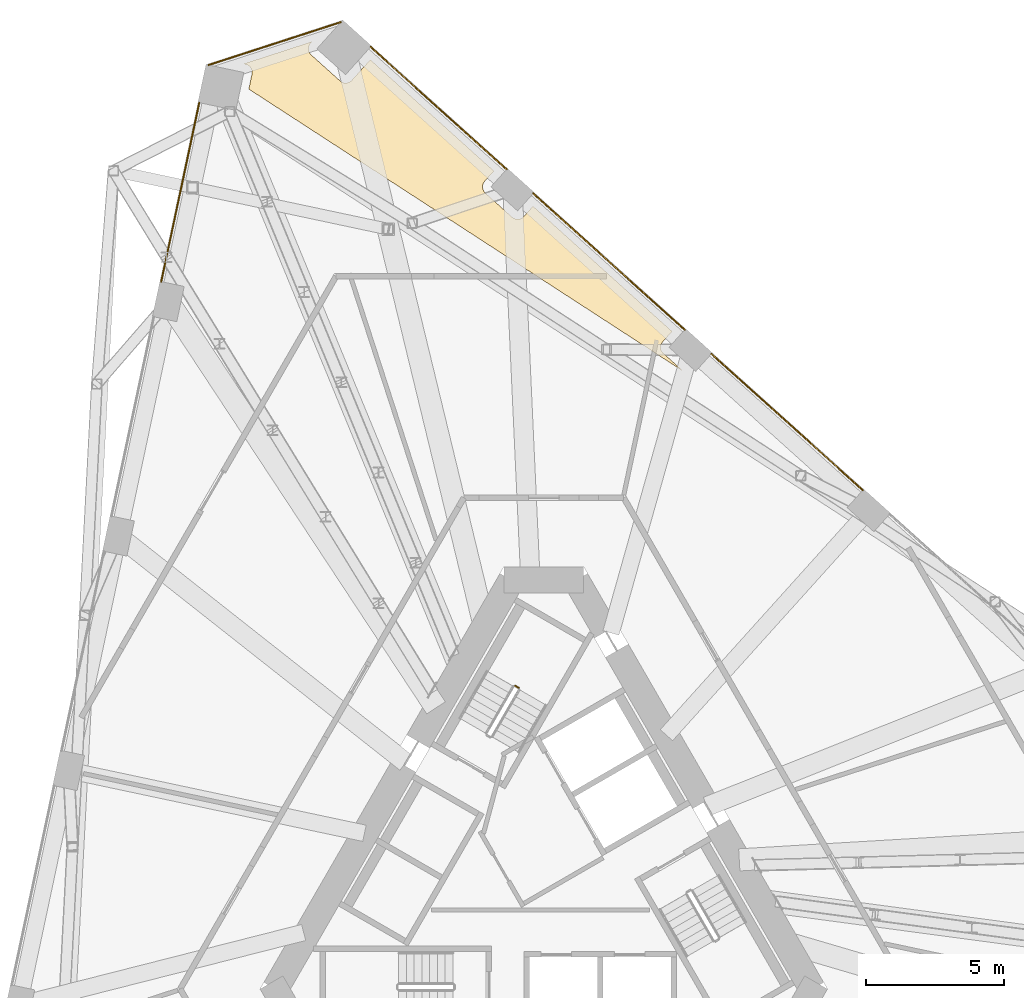
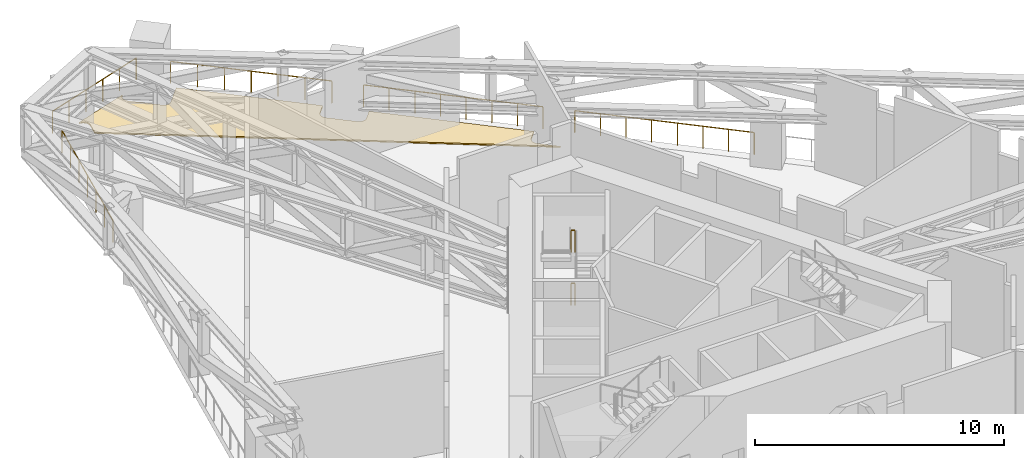
# One storey, part 23 of 24: 7 railings, 2 coverings.
"""IFC4 building model written with IfcOpenShell, lengths in metres."""

from ifc_helpers import new_model, si_unit, direction, frame, origin, origin_2d, place, context, subcontext, project, spatial, polyline, circle, outline, extrude, material, layer, layer_set, type_object, element, save


model = new_model("IFC4")

# Units and contexts
model_context = context("Model", 3, precision=1e-05, world=origin(), true_north=direction((0.0, 1.0)))
body_context = subcontext(model_context, "Body", "Model", "MODEL_VIEW")
ifc_project = project(units=[si_unit("LENGTHUNIT", "METRE"), si_unit("AREAUNIT", "SQUARE_METRE"), si_unit("VOLUMEUNIT", "CUBIC_METRE"), si_unit("PLANEANGLEUNIT", "RADIAN"), si_unit("MASSUNIT", "GRAM", prefix="KILO")], contexts=[model_context])

# Site, building, storey
site_placement = place(None, origin())
site = spatial("IfcSite", under=ifc_project, at=site_placement, CompositionType="ELEMENT")
building_placement = place(site_placement, origin())
building = spatial("IfcBuilding", under=site, at=building_placement, Name="Tramontana Tower", CompositionType="ELEMENT")
storey_placement = place(building_placement, frame((0.0, 0.0, 120.39990234375)))
storey = spatial("IfcBuildingStorey", under=building, at=storey_placement, Name="L27", CompositionType="ELEMENT", Elevation=120.39990234375)

# Railings
ifc_material_1 = material(Name="Stainless steel rail and posts", Category="steel")
railing_type_1 = type_object("IfcRailingType", Name="GD2 Terrace guard 1100", PredefinedType="GUARDRAIL", material=ifc_material_1)
railing_1_placement = place(storey_placement, frame((-12.447021484375, 27.775634765625, 0.0)))
element("IfcRailing", 1, at=railing_1_placement, inside=storey, type_object=railing_type_1, Name="Edge guard L27 8", PredefinedType="GUARDRAIL", context=body_context, shape_type="SweptSolid", body=[
    extrude(circle(Radius=0.02392578125, at=origin_2d()), frame((0.0, 0.0, 1.076171875), z_axis=(-0.207934731097, -0.978142703088, 0.0), x_axis=(0.978142703088, -0.207934731097, 0.0)), (0.0, 0.0, 1.0), 6.6103515625),
    extrude(circle(Radius=0.02099609375, at=origin_2d()), origin(), (0.0, 0.0, 1.0), 1.052001953125),
    extrude(circle(Radius=0.02099609375, at=origin_2d()), frame((-0.22900390625, -1.07763671875, 0.0)), (0.0, 0.0, 1.0), 1.052001953125),
    extrude(circle(Radius=0.02099609375, at=origin_2d()), frame((-0.458251953125, -2.1552734375, 0.0)), (0.0, 0.0, 1.0), 1.052001953125),
    extrude(circle(Radius=0.02099609375, at=origin_2d()), frame((-0.687255859375, -3.23291015625, 0.0)), (0.0, 0.0, 1.0), 1.052001953125),
    extrude(circle(Radius=0.02099609375, at=origin_2d()), frame((-0.916259765625, -4.310546875, 0.0)), (0.0, 0.0, 1.0), 1.052001953125),
    extrude(circle(Radius=0.02099609375, at=origin_2d()), frame((-1.1455078125, -5.38818359375, 0.0)), (0.0, 0.0, 1.0), 1.052001953125),
    extrude(circle(Radius=0.02099609375, at=origin_2d()), frame((-1.37451171875, -6.4658203125, 0.0)), (0.0, 0.0, 1.0), 1.052001953125),
])
railing_2_placement = place(storey_placement, frame((-7.330078125, 30.686767578125, 0.0)))
element("IfcRailing", 2, at=railing_2_placement, inside=storey, type_object=railing_type_1, Name="Edge guard L27 9", PredefinedType="GUARDRAIL", context=body_context, shape_type="SweptSolid", body=[
    extrude(circle(Radius=0.02392578125, at=origin_2d()), frame((0.0, 0.0, 1.076171875), z_axis=(-0.951052283617, -0.309030020915, 0.0), x_axis=(0.309030020915, -0.951052283617, 0.0)), (0.0, 0.0, 1.0), 5.02294921875),
    extrude(circle(Radius=0.02099609375, at=origin_2d()), origin(), (0.0, 0.0, 1.0), 1.052001953125),
    extrude(circle(Radius=0.02099609375, at=origin_2d()), frame((-0.955322265625, -0.310546875, 0.0)), (0.0, 0.0, 1.0), 1.052001953125),
    extrude(circle(Radius=0.02099609375, at=origin_2d()), frame((-1.910888671875, -0.620849609375, 0.0)), (0.0, 0.0, 1.0), 1.052001953125),
    extrude(circle(Radius=0.02099609375, at=origin_2d()), frame((-2.8662109375, -0.931396484375, 0.0)), (0.0, 0.0, 1.0), 1.052001953125),
    extrude(circle(Radius=0.02099609375, at=origin_2d()), frame((-3.82177734375, -1.24169921875, 0.0)), (0.0, 0.0, 1.0), 1.052001953125),
    extrude(circle(Radius=0.02099609375, at=origin_2d()), frame((-4.777099609375, -1.55224609375, 0.0)), (0.0, 0.0, 1.0), 1.052001953125),
])
railing_3_placement = place(storey_placement, frame((-1.34375, 25.364013671875, 0.0)))
element("IfcRailing", 3, at=railing_3_placement, inside=storey, type_object=railing_type_1, Name="Edge guard L27 11", PredefinedType="GUARDRAIL", context=body_context, shape_type="SweptSolid", body=[
    extrude(circle(Radius=0.02392578125, at=origin_2d()), frame((0.0, 0.0, 1.076171875), z_axis=(-0.743145372323, 0.669129999025, 0.0), x_axis=(-0.669129999025, -0.743145372323, 0.0)), (0.0, 0.0, 1.0), 6.610107421875),
    extrude(circle(Radius=0.02099609375, at=origin_2d()), origin(), (0.0, 0.0, 1.0), 1.052001953125),
    extrude(circle(Radius=0.02099609375, at=origin_2d()), frame((-0.81884765625, 0.7373046875, 0.0)), (0.0, 0.0, 1.0), 1.052001953125),
    extrude(circle(Radius=0.02099609375, at=origin_2d()), frame((-1.637451171875, 1.474365234375, 0.0)), (0.0, 0.0, 1.0), 1.052001953125),
    extrude(circle(Radius=0.02099609375, at=origin_2d()), frame((-2.4560546875, 2.21142578125, 0.0)), (0.0, 0.0, 1.0), 1.052001953125),
    extrude(circle(Radius=0.02099609375, at=origin_2d()), frame((-3.27490234375, 2.94873046875, 0.0)), (0.0, 0.0, 1.0), 1.052001953125),
    extrude(circle(Radius=0.02099609375, at=origin_2d()), frame((-4.09375, 3.68603515625, 0.0)), (0.0, 0.0, 1.0), 1.052001953125),
    extrude(circle(Radius=0.02099609375, at=origin_2d()), frame((-4.912353515625, 4.423095703125, 0.0)), (0.0, 0.0, 1.0), 1.052001953125),
])
railing_4_placement = place(storey_placement, frame((5.092041015625, 19.5693359375, 0.0)))
element("IfcRailing", 4, at=railing_4_placement, inside=storey, type_object=railing_type_1, Name="Edge guard L27 13", PredefinedType="GUARDRAIL", context=body_context, shape_type="SweptSolid", body=[
    extrude(circle(Radius=0.02392578125, at=origin_2d()), frame((0.0, 0.0, 1.076171875), z_axis=(-0.743155583218, 0.669118658484, 0.0), x_axis=(-0.669118658484, -0.743155583218, 0.0)), (0.0, 0.0, 1.0), 7.360107421875),
    extrude(circle(Radius=0.02099609375, at=origin_2d()), origin(), (0.0, 0.0, 1.0), 1.052001953125),
    extrude(circle(Radius=0.02099609375, at=origin_2d()), frame((-0.781494140625, 0.70361328125, 0.0)), (0.0, 0.0, 1.0), 1.052001953125),
    extrude(circle(Radius=0.02099609375, at=origin_2d()), frame((-1.562744140625, 1.406982421875, 0.0)), (0.0, 0.0, 1.0), 1.052001953125),
    extrude(circle(Radius=0.02099609375, at=origin_2d()), frame((-2.34423828125, 2.110595703125, 0.0)), (0.0, 0.0, 1.0), 1.052001953125),
    extrude(circle(Radius=0.02099609375, at=origin_2d()), frame((-3.12548828125, 2.814208984375, 0.0)), (0.0, 0.0, 1.0), 1.052001953125),
    extrude(circle(Radius=0.02099609375, at=origin_2d()), frame((-3.906982421875, 3.517822265625, 0.0)), (0.0, 0.0, 1.0), 1.052001953125),
    extrude(circle(Radius=0.02099609375, at=origin_2d()), frame((-4.688232421875, 4.22119140625, 0.0)), (0.0, 0.0, 1.0), 1.052001953125),
    extrude(circle(Radius=0.02099609375, at=origin_2d()), frame((-5.4697265625, 4.9248046875, 0.0)), (0.0, 0.0, 1.0), 1.052001953125),
])
railing_5_placement = place(storey_placement, frame((11.52783203125, 13.7744140625, 0.0)))
element("IfcRailing", 5, at=railing_5_placement, inside=storey, type_object=railing_type_1, Name="Edge guard L27 14", PredefinedType="GUARDRAIL", context=body_context, shape_type="SweptSolid", body=[
    extrude(circle(Radius=0.02392578125, at=origin_2d()), frame((0.0, 0.0, 1.076171875), z_axis=(-0.743139088938, 0.669136977377, 0.0), x_axis=(-0.669136977377, -0.743139088938, 0.0)), (0.0, 0.0, 1.0), 7.3603515625),
    extrude(circle(Radius=0.02099609375, at=origin_2d()), origin(), (0.0, 0.0, 1.0), 1.052001953125),
    extrude(circle(Radius=0.02099609375, at=origin_2d()), frame((-0.781494140625, 0.70361328125, 0.0)), (0.0, 0.0, 1.0), 1.052001953125),
    extrude(circle(Radius=0.02099609375, at=origin_2d()), frame((-1.562744140625, 1.4072265625, 0.0)), (0.0, 0.0, 1.0), 1.052001953125),
    extrude(circle(Radius=0.02099609375, at=origin_2d()), frame((-2.34423828125, 2.11083984375, 0.0)), (0.0, 0.0, 1.0), 1.052001953125),
    extrude(circle(Radius=0.02099609375, at=origin_2d()), frame((-3.12548828125, 2.814208984375, 0.0)), (0.0, 0.0, 1.0), 1.052001953125),
    extrude(circle(Radius=0.02099609375, at=origin_2d()), frame((-3.906982421875, 3.517822265625, 0.0)), (0.0, 0.0, 1.0), 1.052001953125),
    extrude(circle(Radius=0.02099609375, at=origin_2d()), frame((-4.688232421875, 4.221435546875, 0.0)), (0.0, 0.0, 1.0), 1.052001953125),
    extrude(circle(Radius=0.02099609375, at=origin_2d()), frame((-5.4697265625, 4.925048828125, 0.0)), (0.0, 0.0, 1.0), 1.052001953125),
])

# Covering
ifc_material_2 = material(Name="Limestone paving 60", Category="masonry")
ifc_layer_1 = layer(ifc_material_2, 0.06005859375)
ifc_layer_set_1 = layer_set([ifc_layer_1], Name="PV1 Terrace paving 60")
covering_type_1 = type_object("IfcCoveringType", Name="PV1 Terrace paving 60", PredefinedType="FLOORING", material=ifc_layer_set_1)
covering_1_placement = place(storey_placement, frame((0.0, 0.0, 0.010009765625)))
element("IfcCovering", 6, at=covering_1_placement, inside=storey, type_object=covering_type_1, Name="Terrace paving L27 1", PredefinedType="FLOORING", context=body_context, shape_type="SweptSolid", body=[
    extrude(outline(polyline([(-8.369140625, 29.981201171875), (-8.4228515625, 29.92138671875), (-8.44140625, 29.898681640625), (-8.457763671875, 29.8740234375), (-8.471435546875, 29.84814453125), (-8.482666015625, 29.82080078125), (-8.4912109375, 29.792724609375), (-8.496826171875, 29.763671875), (-8.49951171875, 29.734375), (-8.49951171875, 29.705078125), (-8.49658203125, 29.67578125), (-8.49072265625, 29.64697265625), (-8.48193359375, 29.61865234375), (-8.470703125, 29.591552734375), (-8.456787109375, 29.565673828125), (-8.440185546875, 29.541259765625), (-8.421630859375, 29.5185546875), (-8.400634765625, 29.497802734375), (-7.3603515625, 28.56103515625), (-7.33740234375, 28.54248046875), (-7.31298828125, 28.526123046875), (-7.286865234375, 28.512451171875), (-7.259521484375, 28.501220703125), (-7.2314453125, 28.49267578125), (-7.20263671875, 28.487060546875), (-7.17333984375, 28.484375), (-7.143798828125, 28.484375), (-7.114501953125, 28.4873046875), (-7.085693359375, 28.4931640625), (-7.0576171875, 28.501708984375), (-7.0302734375, 28.51318359375), (-7.00439453125, 28.527099609375), (-6.97998046875, 28.54345703125), (-6.957275390625, 28.562255859375), (-6.9365234375, 28.583251953125), (-6.267333984375, 29.326416015625), (-1.801025390625, 25.3046875), (-2.135498046875, 24.93310546875), (-2.154052734375, 24.910400390625), (-2.17041015625, 24.8857421875), (-2.18408203125, 24.85986328125), (-2.1953125, 24.83251953125), (-2.203857421875, 24.804443359375), (-2.20947265625, 24.775390625), (-2.212158203125, 24.74609375), (-2.212158203125, 24.716796875), (-2.209228515625, 24.6875), (-2.203369140625, 24.658447265625), (-2.194580078125, 24.63037109375), (-2.183349609375, 24.603271484375), (-2.16943359375, 24.577392578125), (-2.15283203125, 24.552978515625), (-2.13427734375, 24.5302734375), (-2.11328125, 24.509521484375), (-1.147216796875, 23.6396484375), (-1.124267578125, 23.62109375), (-1.099853515625, 23.604736328125), (-1.07373046875, 23.5908203125), (-1.046630859375, 23.579833984375), (-1.018310546875, 23.5712890625), (-0.989501953125, 23.565673828125), (-0.960205078125, 23.562744140625), (-0.9306640625, 23.56298828125), (-0.9013671875, 23.56591796875), (-0.87255859375, 23.57177734375), (-0.844482421875, 23.580322265625), (-0.8173828125, 23.591796875), (-0.79150390625, 23.605712890625), (-0.76708984375, 23.6220703125), (-0.744384765625, 23.640869140625), (-0.7236328125, 23.661865234375), (-0.388916015625, 24.033447265625), (4.635009765625, 19.509765625), (4.30029296875, 19.13818359375), (4.28173828125, 19.115478515625), (4.265380859375, 19.0908203125), (4.251708984375, 19.06494140625), (4.240478515625, 19.03759765625), (4.23193359375, 19.009521484375), (4.226318359375, 18.980712890625), (4.2236328125, 18.951171875), (4.2236328125, 18.921875), (4.2265625, 18.892578125), (4.232421875, 18.86376953125), (4.2412109375, 18.83544921875), (4.25244140625, 18.808349609375), (4.266357421875, 18.782470703125), (4.282958984375, 18.758056640625), (4.3017578125, 18.7353515625), (4.322509765625, 18.714599609375), (5.033203125, 18.07470703125), (-10.656494140625, 28.263671875), (-10.5419921875, 28.802001953125), (-10.537353515625, 28.8310546875), (-10.53564453125, 28.8603515625), (-10.53662109375, 28.889892578125), (-10.54052734375, 28.9189453125), (-10.54736328125, 28.94775390625), (-10.556884765625, 28.9755859375), (-10.569091796875, 29.002197265625), (-10.583984375, 29.02783203125), (-10.60107421875, 29.051513671875), (-10.62060546875, 29.07373046875), (-10.64208984375, 29.09375), (-10.66552734375, 29.111572265625), (-10.690673828125, 29.126953125), (-10.717041015625, 29.139892578125), (-10.74462890625, 29.150390625), (-10.773193359375, 29.15771484375), (-10.851806640625, 29.174560546875), (-8.369140625, 29.981201171875)])), origin(), (0.0, 0.0, 1.0), 0.06005859375),
])

# Railings
ifc_material_3 = material(Name="Painted steel", Category="steel")
railing_type_2 = type_object("IfcRailingType", Name="STAIR GUARD 1100", PredefinedType="GUARDRAIL", material=ifc_material_3)
for number, where, name in (
    (7, (-0.90576171875, 6.63134765625, 1.300048828125), "L27 ST1 stair guard 5"),
    (8, (-0.90576171875, 6.63134765625, 3.900146484375), "L27 ST1 stair guard 7"),
):
    element("IfcRailing", number, at=place(storey_placement, frame(where)), inside=storey, type_object=railing_type_2, Name=name, PredefinedType="GUARDRAIL", context=body_context, shape_type="SweptSolid", body=[
        extrude(circle(Radius=0.02392578125, at=origin_2d()), frame((0.0, 0.0, 1.076171875), z_axis=(-0.866131372301, 0.499816412211, 0.0), x_axis=(-0.499816412211, -0.866131372301, 0.0)), (0.0, 0.0, 1.0), 0.14990234375),
        extrude(circle(Radius=0.02099609375, at=origin_2d()), origin(), (0.0, 0.0, 1.0), 1.052001953125),
        extrude(circle(Radius=0.02099609375, at=origin_2d()), frame((-0.1298828125, 0.074951171875, 0.0)), (0.0, 0.0, 1.0), 1.052001953125),
    ])

# Covering
ifc_material_4 = material(Name="Bituminous waterproofing membrane")
ifc_layer_2 = layer(ifc_material_4, 0.010009765625)
ifc_layer_set_2 = layer_set([ifc_layer_2], Name="WP1 Terrace waterproofing membrane 10")
covering_type_2 = type_object("IfcCoveringType", Name="WP1 Terrace waterproofing membrane 10", PredefinedType="MEMBRANE", material=ifc_layer_set_2)
covering_2_placement = place(storey_placement, origin())
element("IfcCovering", 9, at=covering_2_placement, inside=storey, type_object=covering_type_2, Name="Terrace membrane L27 1", PredefinedType="MEMBRANE", context=body_context, shape_type="SweptSolid", body=[
    extrude(outline(polyline([(-8.369140625, 29.981201171875), (-8.4228515625, 29.92138671875), (-8.44140625, 29.898681640625), (-8.457763671875, 29.8740234375), (-8.471435546875, 29.84814453125), (-8.482666015625, 29.82080078125), (-8.4912109375, 29.792724609375), (-8.496826171875, 29.763671875), (-8.49951171875, 29.734375), (-8.49951171875, 29.705078125), (-8.49658203125, 29.67578125), (-8.49072265625, 29.64697265625), (-8.48193359375, 29.61865234375), (-8.470703125, 29.591552734375), (-8.456787109375, 29.565673828125), (-8.440185546875, 29.541259765625), (-8.421630859375, 29.5185546875), (-8.400634765625, 29.497802734375), (-7.3603515625, 28.56103515625), (-7.33740234375, 28.54248046875), (-7.31298828125, 28.526123046875), (-7.286865234375, 28.512451171875), (-7.259521484375, 28.501220703125), (-7.2314453125, 28.49267578125), (-7.20263671875, 28.487060546875), (-7.17333984375, 28.484375), (-7.143798828125, 28.484375), (-7.114501953125, 28.4873046875), (-7.085693359375, 28.4931640625), (-7.0576171875, 28.501708984375), (-7.0302734375, 28.51318359375), (-7.00439453125, 28.527099609375), (-6.97998046875, 28.54345703125), (-6.957275390625, 28.562255859375), (-6.9365234375, 28.583251953125), (-6.267333984375, 29.326416015625), (-1.801025390625, 25.3046875), (-2.135498046875, 24.93310546875), (-2.154052734375, 24.910400390625), (-2.17041015625, 24.8857421875), (-2.18408203125, 24.85986328125), (-2.1953125, 24.83251953125), (-2.203857421875, 24.804443359375), (-2.20947265625, 24.775390625), (-2.212158203125, 24.74609375), (-2.212158203125, 24.716796875), (-2.209228515625, 24.6875), (-2.203369140625, 24.658447265625), (-2.194580078125, 24.63037109375), (-2.183349609375, 24.603271484375), (-2.16943359375, 24.577392578125), (-2.15283203125, 24.552978515625), (-2.13427734375, 24.5302734375), (-2.11328125, 24.509521484375), (-1.147216796875, 23.6396484375), (-1.124267578125, 23.62109375), (-1.099853515625, 23.604736328125), (-1.07373046875, 23.5908203125), (-1.046630859375, 23.579833984375), (-1.018310546875, 23.5712890625), (-0.989501953125, 23.565673828125), (-0.960205078125, 23.562744140625), (-0.9306640625, 23.56298828125), (-0.9013671875, 23.56591796875), (-0.87255859375, 23.57177734375), (-0.844482421875, 23.580322265625), (-0.8173828125, 23.591796875), (-0.79150390625, 23.605712890625), (-0.76708984375, 23.6220703125), (-0.744384765625, 23.640869140625), (-0.7236328125, 23.661865234375), (-0.388916015625, 24.033447265625), (4.635009765625, 19.509765625), (4.30029296875, 19.13818359375), (4.28173828125, 19.115478515625), (4.265380859375, 19.0908203125), (4.251708984375, 19.06494140625), (4.240478515625, 19.03759765625), (4.23193359375, 19.009521484375), (4.226318359375, 18.980712890625), (4.2236328125, 18.951171875), (4.2236328125, 18.921875), (4.2265625, 18.892578125), (4.232421875, 18.86376953125), (4.2412109375, 18.83544921875), (4.25244140625, 18.808349609375), (4.266357421875, 18.782470703125), (4.282958984375, 18.758056640625), (4.3017578125, 18.7353515625), (4.322509765625, 18.714599609375), (5.033203125, 18.07470703125), (-10.656494140625, 28.263671875), (-10.5419921875, 28.802001953125), (-10.537353515625, 28.8310546875), (-10.53564453125, 28.8603515625), (-10.53662109375, 28.889892578125), (-10.54052734375, 28.9189453125), (-10.54736328125, 28.94775390625), (-10.556884765625, 28.9755859375), (-10.569091796875, 29.002197265625), (-10.583984375, 29.02783203125), (-10.60107421875, 29.051513671875), (-10.62060546875, 29.07373046875), (-10.64208984375, 29.09375), (-10.66552734375, 29.111572265625), (-10.690673828125, 29.126953125), (-10.717041015625, 29.139892578125), (-10.74462890625, 29.150390625), (-10.773193359375, 29.15771484375), (-10.851806640625, 29.174560546875), (-8.369140625, 29.981201171875)])), origin(), (0.0, 0.0, 1.0), 0.010009765625),
])

save(model, "model.ifc")
